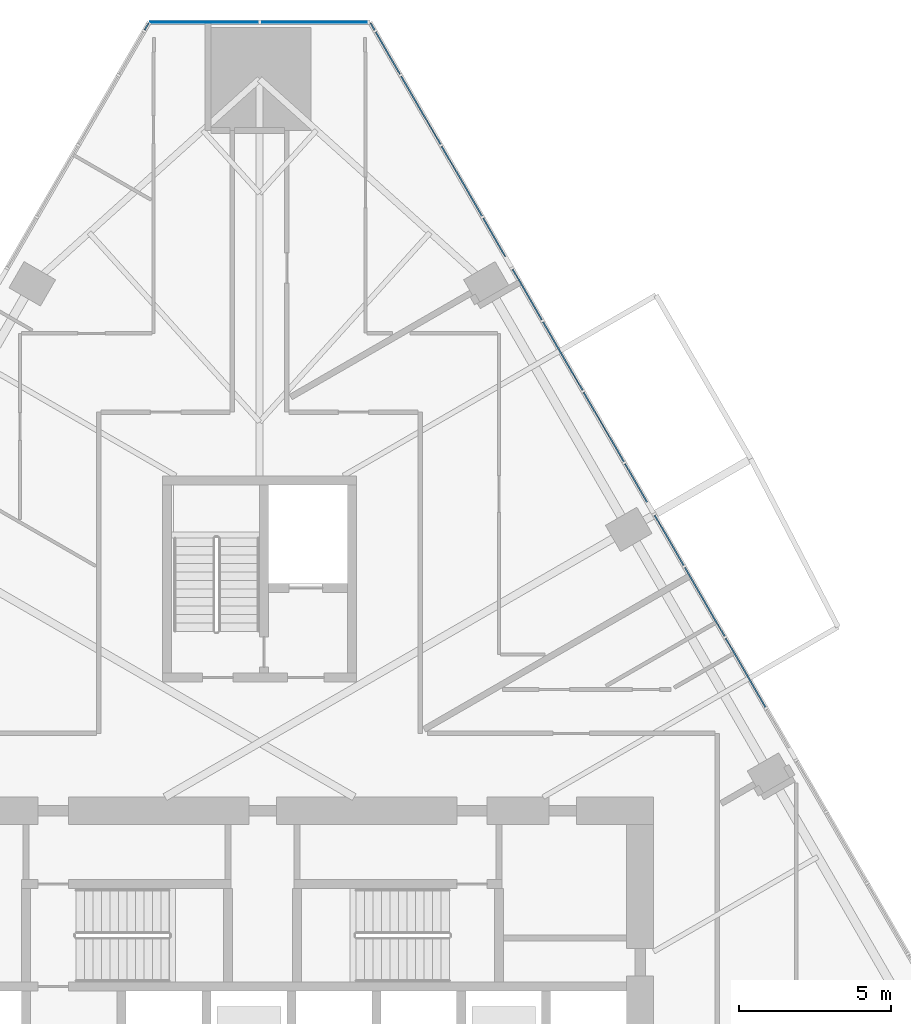
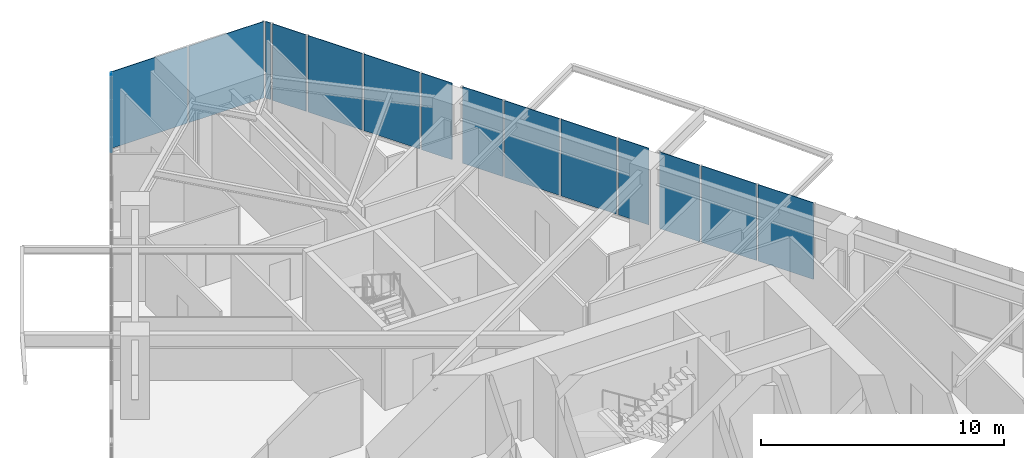
# One storey, part 15 of 22: 15 plates, 3 elements without a shape of their own.
"""IFC4 building model written with IfcOpenShell, lengths in metres."""

from ifc_helpers import new_model, si_unit, direction, frame, origin, place, context, subcontext, project, spatial, polyline, outline, extrude, material, layer, layer_set, type_object, element, aggregate, save


model = new_model("IFC4")

# Units and contexts
model_context = context("Model", 3, precision=1e-05, world=origin(), true_north=direction((0.0, 1.0)))
body_context = subcontext(model_context, "Body", "Model", "MODEL_VIEW")
ifc_project = project(units=[si_unit("LENGTHUNIT", "METRE"), si_unit("AREAUNIT", "SQUARE_METRE"), si_unit("VOLUMEUNIT", "CUBIC_METRE"), si_unit("PLANEANGLEUNIT", "RADIAN"), si_unit("MASSUNIT", "GRAM", prefix="KILO")], contexts=[model_context])

# Site, building, storey
site_placement = place(None, origin())
site = spatial("IfcSite", under=ifc_project, at=site_placement, CompositionType="ELEMENT")
building_placement = place(site_placement, origin())
building = spatial("IfcBuilding", under=site, at=building_placement, Name="Firuza Gate Tower and Library", CompositionType="ELEMENT")
storey_placement = place(building_placement, frame((0.0, 0.0, 111.39990234375)))
storey = spatial("IfcBuildingStorey", under=building, at=storey_placement, Name="L25", CompositionType="ELEMENT", Elevation=111.39990234375)

# Curtain wall, plates
ifc_material_1 = material(Name="Aluminium 6063-T6", Category="aluminium")
ifc_layer_1 = layer(ifc_material_1, 0.14990234375)
ifc_layer_set_1 = layer_set([ifc_layer_1], Name="Corner curtain wall, chamfers")
curtain_wall_type_1 = type_object("IfcCurtainWallType", Name="Corner curtain wall, chamfers", PredefinedType="NOTDEFINED", material=ifc_layer_set_1)
placement = place(storey_placement, origin())
curtain_wall_1 = element("IfcCurtainWall", 1, at=placement, inside=storey, type_object=curtain_wall_type_1, Name="CW4 L25 N corner", PredefinedType="NOTDEFINED")
ifc_material_2 = material(Name="Fritted glass", Category="glass")
ifc_layer_2 = layer(ifc_material_2, 0.030029296875)
ifc_layer_set_2 = layer_set([ifc_layer_2], Name="Fritted glass unit, corners")
plate_type_1 = type_object("IfcPlateType", Name="Fritted glass unit, corners", PredefinedType="CURTAIN_PANEL", material=ifc_layer_set_2)
plate_1_placement = place(storey_placement, frame((78.603271484375, 109.572509765625, 0.150146484375), z_axis=(0.0, 1.0, 0.0), x_axis=(-1.0, 0.0, 0.0)))
plate_1 = element("IfcPlate", 2, at=plate_1_placement, type_object=plate_type_1, Name="Glass unit", PredefinedType="CURTAIN_PANEL", context=body_context, shape_type="SweptSolid", body=[
    extrude(outline(polyline([(0.0, 0.0), (3.563232421875, 0.0), (3.563232421875, 3.849853515625), (0.0, 3.849853515625), (0.0, 0.0)])), origin(), (0.0, 0.0, -1.0), 0.030029296875),
])
plate_2_placement = place(storey_placement, frame((74.9599609375, 109.572509765625, 0.150146484375), z_axis=(0.0, 1.0, 0.0), x_axis=(-1.0, 0.0, 0.0)))
plate_2 = element("IfcPlate", 3, at=plate_2_placement, type_object=plate_type_1, Name="Glass unit", PredefinedType="CURTAIN_PANEL", context=body_context, shape_type="SweptSolid", body=[
    extrude(outline(polyline([(0.0, 0.0), (3.563232421875, 0.0), (3.563232421875, 3.849853515625), (0.0, 3.849853515625), (0.0, 0.0)])), origin(), (0.0, 0.0, -1.0), 0.030029296875),
])
aggregate(curtain_wall_1, [plate_1, plate_2])

ifc_material_3 = material(Name="Aluminium 6063-T6", Category="aluminium")
ifc_layer_3 = layer(ifc_material_3, 0.14990234375)
ifc_layer_set_3 = layer_set([ifc_layer_3], Name="Unitised curtain wall, offices")
curtain_wall_type_2 = type_object("IfcCurtainWallType", Name="Unitised curtain wall, offices", PredefinedType="NOTDEFINED", material=ifc_layer_set_3)
curtain_wall_2 = element("IfcCurtainWall", 4, at=placement, inside=storey, type_object=curtain_wall_type_2, Name="CW1 L25 E face", PredefinedType="NOTDEFINED")
ifc_material_4 = material(Name="Fritted glass", Category="glass")
ifc_layer_4 = layer(ifc_material_4, 0.030029296875)
ifc_layer_set_4 = layer_set([ifc_layer_4], Name="Fritted glass unit, offices")
plate_type_2 = type_object("IfcPlateType", Name="Fritted glass unit, offices", PredefinedType="CURTAIN_PANEL", material=ifc_layer_set_4)
plate_3_placement = place(storey_placement, frame((89.00048828125, 91.6484375, 0.150146484375), z_axis=(0.865985575001, 0.500068979132, 0.0), x_axis=(-0.500068979132, 0.865985575001, 0.0)))
plate_3 = element("IfcPlate", 5, at=plate_3_placement, type_object=plate_type_2, Name="Glass unit", PredefinedType="CURTAIN_PANEL", context=body_context, shape_type="SweptSolid", body=[
    extrude(outline(polyline([(0.0, 0.0), (1.9108691923046113, 0.0), (1.9108691923046113, 3.849853515625), (0.0, 3.849853515625), (0.0, 0.0)])), origin(), (0.0, 0.0, -1.0), 0.030029296875),
])
plate_4_placement = place(storey_placement, frame((87.78857421875, 93.747314453125, 0.150146484375), z_axis=(0.866036909293, 0.499980071345, 0.0), x_axis=(-0.499980071345, 0.866036909293, 0.0)))
plate_4 = element("IfcPlate", 6, at=plate_4_placement, type_object=plate_type_2, Name="Glass unit", PredefinedType="CURTAIN_PANEL", context=body_context, shape_type="SweptSolid", body=[
    extrude(outline(polyline([(0.0, 0.0), (1.4492765142645265, 0.0), (1.4492765142645265, 3.849853515625), (0.0, 3.849853515625), (0.0, 0.0)])), origin(), (0.0, 0.0, -1.0), 0.030029296875),
])
plate_5_placement = place(storey_placement, frame((84.3232421875, 99.749267578125, 0.150146484375), z_axis=(0.866042003473, 0.499971247393, 0.0), x_axis=(-0.499971247393, 0.866042003473, 0.0)))
plate_5 = element("IfcPlate", 7, at=plate_5_placement, type_object=plate_type_2, Name="Glass unit", PredefinedType="CURTAIN_PANEL", context=body_context, shape_type="SweptSolid", body=[
    extrude(outline(polyline([(0.0, 0.0), (1.9254036895005333, 0.0), (1.9254036895005333, 3.849853515625), (0.0, 3.849853515625), (0.0, 0.0)])), origin(), (0.0, 0.0, -1.0), 0.030029296875),
])
plate_6_placement = place(storey_placement, frame((83.111572265625, 101.84814453125, 0.150146484375), z_axis=(0.86600608357, 0.5000334621, 0.0), x_axis=(-0.5000334621, 0.86600608357, 0.0)))
plate_6 = element("IfcPlate", 8, at=plate_6_placement, type_object=plate_type_2, Name="Glass unit", PredefinedType="CURTAIN_PANEL", context=body_context, shape_type="SweptSolid", body=[
    extrude(outline(polyline([(0.0, 0.0), (1.4496100172587774, 0.0), (1.4496100172587774, 3.849853515625), (0.0, 3.849853515625), (0.0, 0.0)])), origin(), (0.0, 0.0, -1.0), 0.030029296875),
])
plate_7_placement = place(storey_placement, frame((79.646240234375, 107.850341796875, 0.150146484375), z_axis=(0.865983383575, 0.500072774076, 0.0), x_axis=(-0.500072774076, 0.865983383575, 0.0)))
plate_7 = element("IfcPlate", 9, at=plate_7_placement, type_object=plate_type_2, Name="Glass unit", PredefinedType="CURTAIN_PANEL", context=body_context, shape_type="SweptSolid", body=[
    extrude(outline(polyline([(0.0, 0.0), (1.6086525823386557, 0.0), (1.6086525823386557, 3.849853515625), (0.0, 3.849853515625), (0.0, 0.0)])), origin(), (0.0, 0.0, -1.0), 0.030029296875),
])
ifc_material_5 = material(Name="Glazed ceramic tile")
ifc_layer_5 = layer(ifc_material_5, 0.030029296875)
ifc_layer_set_5 = layer_set([ifc_layer_5], Name="Opaque ceramic panel, offices")
plate_type_3 = type_object("IfcPlateType", Name="Opaque ceramic panel, offices", PredefinedType="CURTAIN_PANEL", material=ifc_layer_set_5)
plate_8_placement = place(storey_placement, frame((91.700927734375, 86.970703125, 0.150146484375), z_axis=(0.866068011996, 0.49992619315, 0.0), x_axis=(-0.49992619315, 0.866068011996, 0.0)))
plate_8 = element("IfcPlate", 10, at=plate_8_placement, type_object=plate_type_3, Name="Opaque ceramic panel", PredefinedType="CURTAIN_PANEL", context=body_context, shape_type="SweptSolid", body=[
    extrude(outline(polyline([(0.0, 0.0), (2.627829309854988, 0.0), (2.627829309854988, 3.849853515625), (0.0, 3.849853515625), (0.0, 0.0)])), origin(), (0.0, 0.0, -1.0), 0.030029296875),
])
plate_9_placement = place(storey_placement, frame((90.34716796875, 89.31591796875, 0.150146484375), z_axis=(0.865986446411, 0.50006747008, 0.0), x_axis=(-0.50006747008, 0.865986446411, 0.0)))
plate_9 = element("IfcPlate", 11, at=plate_9_placement, type_object=plate_type_3, Name="Opaque ceramic panel", PredefinedType="CURTAIN_PANEL", context=body_context, shape_type="SweptSolid", body=[
    extrude(outline(polyline([(0.0, 0.0), (2.6134168763597354, 0.0), (2.6134168763597354, 3.849853515625001), (0.0, 3.849853515625001), (0.0, 0.0)])), origin(), (0.0, 0.0, -1.0), 0.030029296875),
])
plate_10_placement = place(storey_placement, frame((87.02392578125, 95.07177734375, 0.150146484375), z_axis=(0.866045570776, 0.499965068118, 0.0), x_axis=(-0.499965068118, 0.866045570776, 0.0)))
plate_10 = element("IfcPlate", 12, at=plate_10_placement, type_object=plate_type_3, Name="Opaque ceramic panel", PredefinedType="CURTAIN_PANEL", context=body_context, shape_type="SweptSolid", body=[
    extrude(outline(polyline([(0.0, 0.0), (2.642274442987196, 0.0), (2.642274442987196, 3.849853515625), (0.0, 3.849853515625), (0.0, 0.0)])), origin(), (0.0, 0.0, -1.0), 0.030029296875),
])
plate_11_placement = place(storey_placement, frame((85.662841796875, 97.42919921875, 0.150146484375), z_axis=(0.866032297002, 0.499988060406, 0.0), x_axis=(-0.499988060406, 0.866032297002, 0.0)))
plate_11 = element("IfcPlate", 13, at=plate_11_placement, type_object=plate_type_3, Name="Opaque ceramic panel", PredefinedType="CURTAIN_PANEL", context=body_context, shape_type="SweptSolid", body=[
    extrude(outline(polyline([(0.0, 0.0), (2.5991831601328843, 0.0), (2.5991831601328843, 3.849853515625), (0.0, 3.849853515625), (0.0, 0.0)])), origin(), (0.0, 0.0, -1.0), 0.030029296875),
])
plate_12_placement = place(storey_placement, frame((82.346923828125, 103.1728515625, 0.150146484375), z_axis=(0.866023371876, 0.500003519352, 0.0), x_axis=(-0.500003519352, 0.866023371876, 0.0)))
plate_12 = element("IfcPlate", 14, at=plate_12_placement, type_object=plate_type_3, Name="Opaque ceramic panel", PredefinedType="CURTAIN_PANEL", context=body_context, shape_type="SweptSolid", body=[
    extrude(outline(polyline([(0.0, 0.0), (2.656719581385353, 0.0), (2.656719581385353, 3.849853515625), (0.0, 3.849853515625), (0.0, 0.0)])), origin(), (0.0, 0.0, -1.0), 0.030029296875),
])
plate_13_placement = place(storey_placement, frame((80.978515625, 105.542724609375, 0.150146484375), z_axis=(0.866031427484, 0.4999895665, 0.0), x_axis=(-0.4999895665, 0.866031427484, 0.0)))
plate_13 = element("IfcPlate", 15, at=plate_13_placement, type_object=plate_type_3, Name="Opaque ceramic panel", PredefinedType="CURTAIN_PANEL", context=body_context, shape_type="SweptSolid", body=[
    extrude(outline(polyline([(0.0, 0.0), (2.584526587564451, 0.0), (2.584526587564451, 3.849853515625), (0.0, 3.849853515625), (0.0, 0.0)])), origin(), (0.0, 0.0, -1.0), 0.030029296875),
])
plate_14_placement = place(storey_placement, frame((78.802001953125, 109.312744140625, 0.150146484375), z_axis=(0.865780878536, 0.500423291185, 0.0), x_axis=(-0.500423291185, 0.865780878536, 0.0)))
plate_14 = element("IfcPlate", 16, at=plate_14_placement, type_object=plate_type_3, Name="Opaque ceramic panel", PredefinedType="CURTAIN_PANEL", context=body_context, shape_type="SweptSolid", body=[
    extrude(outline(polyline([(0.0, 0.0), (0.2512521381192305, 0.0), (0.2512521381192305, 3.849853515625), (0.0, 3.849853515625), (0.0, 0.0)])), origin(), (0.0, 0.0, -1.0), 0.030029296875),
])
aggregate(curtain_wall_2, [plate_8, plate_9, plate_3, plate_4, plate_10, plate_11, plate_5, plate_6, plate_12, plate_13, plate_7, plate_14])

# Curtain wall, plate
curtain_wall_3 = element("IfcCurtainWall", 17, at=placement, inside=storey, type_object=curtain_wall_type_2, Name="CW1 L25 W face", PredefinedType="NOTDEFINED")
plate_15_placement = place(storey_placement, frame((71.32373046875, 109.5302734375, 0.150146484375), z_axis=(-0.865780878536, 0.500423291185, 0.0), x_axis=(-0.500423291185, -0.865780878536, 0.0)))
plate_15 = element("IfcPlate", 18, at=plate_15_placement, type_object=plate_type_3, Name="Opaque ceramic panel", PredefinedType="CURTAIN_PANEL", context=body_context, shape_type="SweptSolid", body=[
    extrude(outline(polyline([(0.0, 0.0), (0.2512521381192305, 0.0), (0.2512521381192305, 3.849853515625), (0.0, 3.849853515625), (0.0, 0.0)])), origin(), (0.0, 0.0, -1.0), 0.030029296875),
])
aggregate(curtain_wall_3, [plate_15])

save(model, "model.ifc")
